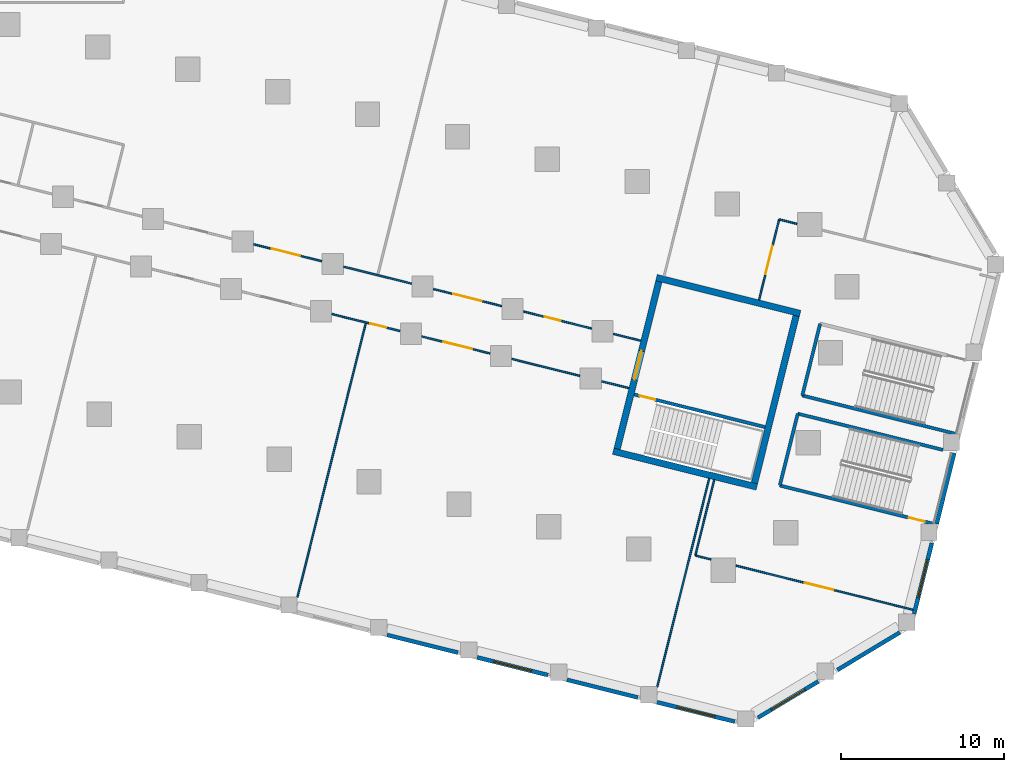
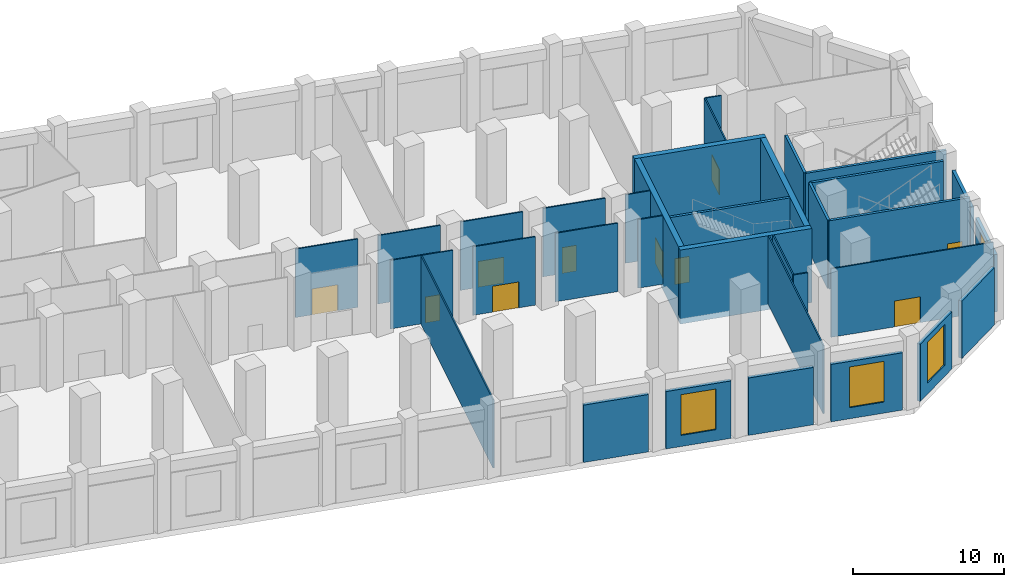
# One storey, part 6 of 15: 34 walls, 10 doors, 4 windows, 14 openings.
"""IFC4 building model written with IfcOpenShell, lengths in metres."""

from ifc_helpers import new_model, si_unit, direction, frame, frame_2d, origin, place, context, subcontext, project, spatial, rectangle, extrude, material, layer, layer_set, type_object, element, fill, save


model = new_model("IFC4")

# Units and contexts
model_context = context("Model", 3, precision=1e-05, world=origin(), true_north=direction((0.0, 1.0)))
body_context = subcontext(model_context, "Body", "Model", "MODEL_VIEW")
ifc_project = project(units=[si_unit("LENGTHUNIT", "METRE"), si_unit("AREAUNIT", "SQUARE_METRE"), si_unit("VOLUMEUNIT", "CUBIC_METRE"), si_unit("PLANEANGLEUNIT", "RADIAN"), si_unit("MASSUNIT", "GRAM", prefix="KILO")], contexts=[model_context])

# Site, building, storey
site_placement = place(None, origin())
site = spatial("IfcSite", under=ifc_project, at=site_placement, CompositionType="ELEMENT")
building_placement = place(site_placement, origin())
building = spatial("IfcBuilding", under=site, at=building_placement, Name="Meshkara Civic Tower", CompositionType="ELEMENT")
storey_placement = place(building_placement, frame((0.0, 0.0, 12.60009765625)))
storey = spatial("IfcBuildingStorey", under=building, at=storey_placement, Name="L02", CompositionType="ELEMENT", Elevation=12.60009765625)

# Wall, opening, door
ifc_material_1 = material(Name="Corridor wall 100")
ifc_layer_1 = layer(ifc_material_1, 0.10009765625)
ifc_layer_set_1 = layer_set([ifc_layer_1], Name="Corridor wall 100")
wall_type_1 = type_object("IfcWallType", Name="Corridor wall 100", PredefinedType="PARTITIONING", material=ifc_layer_set_1)
wall_1_placement = place(storey_placement, frame((58.194091796875, -1.214111328125, 0.0), z_axis=(0.0, 0.0, 1.0), x_axis=(-0.970325134426, 0.241803915396, 0.0)))
wall_1 = element("IfcWall", 1, at=wall_1_placement, inside=storey, type_object=wall_type_1, Name="L02-R057", PredefinedType="PARTITIONING", context=body_context, shape_type="SweptSolid", body=[
    extrude(rectangle(XDim=4.318359375, YDim=0.10009765625, at=frame_2d((2.1591796875, 0.0))), origin(), (0.0, 0.0, 1.0), 5.5498046875),
])
opening_1_placement = place(wall_1_placement, frame((1.3798828125, 0.0, 0.0)))
opening_1 = element("IfcOpeningElement", 2, at=opening_1_placement, cuts=wall_1, Name="Opening L02-P008", PredefinedType="OPENING", context=body_context, shape_type="SweptSolid", body=[
    extrude(rectangle(XDim=1.800048828125, YDim=2.10009765625, at=frame_2d((0.89990234375, 1.050048828125))), frame((0.0, 0.06005859375, 0.0), z_axis=(0.0, -1.0, 0.0), x_axis=(1.0, 0.0, 0.0)), (0.0, 0.0, 1.0), 0.1201171875),
])
ifc_material_2 = material(Name="Door pair 1800 x 2100")
door_type_1 = type_object("IfcDoorType", Name="Door pair 1800 x 2100", OperationType="SINGLE_SWING_LEFT", PredefinedType="DOOR", material=ifc_material_2)
door_1_placement = place(opening_1_placement, origin())
door_1 = element("IfcDoor", 3, at=door_1_placement, inside=storey, type_object=door_type_1, Name="L02-P008", OperationType="DOUBLE_DOOR_SINGLE_SWING", OverallHeight=2.10009765625, OverallWidth=1.800048828125, PredefinedType="DOOR", context=body_context, shape_type="SweptSolid", body=[
    extrude(rectangle(XDim=1.800048828125, YDim=2.10009765625, at=frame_2d((0.89990234375, 1.050048828125))), frame((0.0, 0.02490234375, 0.0), z_axis=(0.0, -1.0, 0.0), x_axis=(1.0, 0.0, 0.0)), (0.0, 0.0, 1.0), 0.050048828125),
])
fill(opening_1, door_1)

wall_2_placement = place(storey_placement, frame((58.80908203125, -4.4599609375, 0.0), z_axis=(0.0, 0.0, 1.0), x_axis=(0.970335093604, -0.241763947107, 0.0)))
wall_2 = element("IfcWall", 4, at=wall_2_placement, inside=storey, type_object=wall_type_1, Name="L02-R058", PredefinedType="PARTITIONING", context=body_context, shape_type="SweptSolid", body=[
    extrude(rectangle(XDim=4.318115234375, YDim=0.10009765625, at=frame_2d((2.1591796875, 0.0))), origin(), (0.0, 0.0, 1.0), 5.5498046875),
])
opening_2_placement = place(wall_2_placement, frame((2.43896484375, 0.0, 0.0)))
opening_2 = element("IfcOpeningElement", 5, at=opening_2_placement, cuts=wall_2, Name="Opening L02-P009", PredefinedType="OPENING", context=body_context, shape_type="SweptSolid", body=[
    extrude(rectangle(XDim=1.0, YDim=2.10009765625, at=frame_2d((0.5, 1.050048828125))), frame((0.0, 0.06005859375, 0.0), z_axis=(0.0, -1.0, 0.0), x_axis=(1.0, 0.0, 0.0)), (0.0, 0.0, 1.0), 0.1201171875),
])
ifc_material_3 = material(Name="Door 1000 x 2100")
door_type_2 = type_object("IfcDoorType", Name="Door 1000 x 2100", OperationType="SINGLE_SWING_LEFT", PredefinedType="DOOR", material=ifc_material_3)
door_2_placement = place(opening_2_placement, origin())
door_2 = element("IfcDoor", 6, at=door_2_placement, inside=storey, type_object=door_type_2, Name="L02-P009", OperationType="SINGLE_SWING_RIGHT", OverallHeight=2.10009765625, OverallWidth=1.0, PredefinedType="DOOR", context=body_context, shape_type="SweptSolid", body=[
    extrude(rectangle(XDim=1.0, YDim=2.10009765625, at=frame_2d((0.5, 1.050048828125))), frame((0.0, 0.02490234375, 0.0), z_axis=(0.0, -1.0, 0.0), x_axis=(1.0, 0.0, 0.0)), (0.0, 0.0, 1.0), 0.050048828125),
])
fill(opening_2, door_2)

# Wall
wall_3_placement = place(storey_placement, frame((59.533935546875, -1.548095703125, 0.0), z_axis=(0.0, 0.0, 1.0), x_axis=(0.970298563138, -0.241910517285, 0.0)))
element("IfcWall", 7, at=wall_3_placement, inside=storey, type_object=wall_type_1, Name="L02-R059", PredefinedType="PARTITIONING", context=body_context, shape_type="SweptSolid", body=[
    extrude(rectangle(XDim=4.3193359375, YDim=0.10009765625, at=frame_2d((2.15966796875, 0.0))), origin(), (0.0, 0.0, 1.0), 5.5498046875),
])

# Wall, opening, door
wall_4_placement = place(storey_placement, frame((64.339111328125, -5.837890625, 0.0), z_axis=(0.0, 0.0, 1.0), x_axis=(0.97028198557, -0.241976999897, 0.0)))
wall_4 = element("IfcWall", 8, at=wall_4_placement, inside=storey, type_object=wall_type_1, Name="L02-R060", PredefinedType="PARTITIONING", context=body_context, shape_type="SweptSolid", body=[
    extrude(rectangle(XDim=4.3193359375, YDim=0.10009765625, at=frame_2d((2.15966796875, 0.0))), origin(), (0.0, 0.0, 1.0), 5.5498046875),
])
opening_3_placement = place(wall_4_placement, frame((1.3798828125, 0.0, 0.0)))
opening_3 = element("IfcOpeningElement", 9, at=opening_3_placement, cuts=wall_4, Name="Opening L02-P003", PredefinedType="OPENING", context=body_context, shape_type="SweptSolid", body=[
    extrude(rectangle(XDim=1.800048828125, YDim=2.10009765625, at=frame_2d((0.89990234375, 1.050048828125))), frame((0.0, 0.06005859375, 0.0), z_axis=(0.0, -1.0, 0.0), x_axis=(1.0, 0.0, 0.0)), (0.0, 0.0, 1.0), 0.1201171875),
])
door_3_placement = place(opening_3_placement, origin())
door_3 = element("IfcDoor", 10, at=door_3_placement, inside=storey, type_object=door_type_1, Name="L02-P003", OperationType="DOUBLE_DOOR_SINGLE_SWING", OverallHeight=2.10009765625, OverallWidth=1.800048828125, PredefinedType="DOOR", context=body_context, shape_type="SweptSolid", body=[
    extrude(rectangle(XDim=1.800048828125, YDim=2.10009765625, at=frame_2d((0.89990234375, 1.050048828125))), frame((0.0, 0.02490234375, 0.0), z_axis=(0.0, -1.0, 0.0), x_axis=(1.0, 0.0, 0.0)), (0.0, 0.0, 1.0), 0.050048828125),
])
fill(opening_3, door_3)

wall_5_placement = place(storey_placement, frame((69.256103515625, -3.971923828125, 0.0), z_axis=(0.0, 0.0, 1.0), x_axis=(-0.970298563138, 0.241910517285, 0.0)))
wall_5 = element("IfcWall", 11, at=wall_5_placement, inside=storey, type_object=wall_type_1, Name="L02-R061", PredefinedType="PARTITIONING", context=body_context, shape_type="SweptSolid", body=[
    extrude(rectangle(XDim=4.3193359375, YDim=0.10009765625, at=frame_2d((2.15966796875, 0.0))), origin(), (0.0, 0.0, 1.0), 5.5498046875),
])
opening_4_placement = place(wall_5_placement, frame((1.280029296875, 0.0, 0.0)))
opening_4 = element("IfcOpeningElement", 12, at=opening_4_placement, cuts=wall_5, Name="Opening L02-P010", PredefinedType="OPENING", context=body_context, shape_type="SweptSolid", body=[
    extrude(rectangle(XDim=1.800048828125, YDim=2.10009765625, at=frame_2d((0.89990234375, 1.050048828125))), frame((0.0, 0.06005859375, 0.0), z_axis=(0.0, -1.0, 0.0), x_axis=(1.0, 0.0, 0.0)), (0.0, 0.0, 1.0), 0.1201171875),
])
door_4_placement = place(opening_4_placement, origin())
door_4 = element("IfcDoor", 13, at=door_4_placement, inside=storey, type_object=door_type_1, Name="L02-P010", OperationType="DOUBLE_DOOR_SINGLE_SWING", OverallHeight=2.10009765625, OverallWidth=1.800048828125, PredefinedType="DOOR", context=body_context, shape_type="SweptSolid", body=[
    extrude(rectangle(XDim=1.800048828125, YDim=2.10009765625, at=frame_2d((0.89990234375, 1.050048828125))), frame((0.0, 0.02490234375, 0.0), z_axis=(0.0, -1.0, 0.0), x_axis=(1.0, 0.0, 0.0)), (0.0, 0.0, 1.0), 0.050048828125),
])
fill(opening_4, door_4)

# Wall
wall_6_placement = place(storey_placement, frame((69.8701171875, -7.218017578125, 0.0), z_axis=(0.0, 0.0, 1.0), x_axis=(0.970295255208, -0.241923784941, 0.0)))
element("IfcWall", 14, at=wall_6_placement, inside=storey, type_object=wall_type_1, Name="L02-R062", PredefinedType="PARTITIONING", context=body_context, shape_type="SweptSolid", body=[
    extrude(rectangle(XDim=4.3193359375, YDim=0.10009765625, at=frame_2d((2.15966796875, 0.0))), origin(), (0.0, 0.0, 1.0), 5.5498046875),
])

# Wall, opening, door
wall_7_placement = place(storey_placement, frame((74.785888671875, -5.35107421875, 0.0), z_axis=(0.0, 0.0, 1.0), x_axis=(-0.970321828551, 0.241817181023, 0.0)))
wall_7 = element("IfcWall", 15, at=wall_7_placement, inside=storey, type_object=wall_type_1, Name="L02-R063", PredefinedType="PARTITIONING", context=body_context, shape_type="SweptSolid", body=[
    extrude(rectangle(XDim=4.318115234375, YDim=0.10009765625, at=frame_2d((2.1591796875, 0.0))), origin(), (0.0, 0.0, 1.0), 5.5498046875),
])
opening_5_placement = place(wall_7_placement, frame((1.97998046875, 0.0, 0.0)))
opening_5 = element("IfcOpeningElement", 16, at=opening_5_placement, cuts=wall_7, Name="Opening L02-P011", PredefinedType="OPENING", context=body_context, shape_type="SweptSolid", body=[
    extrude(rectangle(XDim=1.0, YDim=2.10009765625, at=frame_2d((0.5, 1.050048828125))), frame((0.0, 0.06005859375, 0.0), z_axis=(0.0, -1.0, 0.0), x_axis=(1.0, 0.0, 0.0)), (0.0, 0.0, 1.0), 0.1201171875),
])
door_5_placement = place(opening_5_placement, origin())
door_5 = element("IfcDoor", 17, at=door_5_placement, inside=storey, type_object=door_type_2, Name="L02-P011", OperationType="SINGLE_SWING_LEFT", OverallHeight=2.10009765625, OverallWidth=1.0, PredefinedType="DOOR", context=body_context, shape_type="SweptSolid", body=[
    extrude(rectangle(XDim=1.0, YDim=2.10009765625, at=frame_2d((0.5, 1.050048828125))), frame((0.0, 0.02490234375, 0.0), z_axis=(0.0, -1.0, 0.0), x_axis=(1.0, 0.0, 0.0)), (0.0, 0.0, 1.0), 0.050048828125),
])
fill(opening_5, door_5)

# Walls
wall_8_placement = place(storey_placement, frame((75.40087890625, -8.596923828125, 0.0), z_axis=(0.0, 0.0, 1.0), x_axis=(0.970358012919, -0.241671940372, 0.0)))
element("IfcWall", 18, at=wall_8_placement, inside=storey, type_object=wall_type_1, Name="L02-R064", PredefinedType="PARTITIONING", context=body_context, shape_type="SweptSolid", body=[
    extrude(rectangle(XDim=1.7294921875, YDim=0.10009765625, at=frame_2d((0.86474609375, 0.0))), origin(), (0.0, 0.0, 1.0), 5.5498046875),
])
wall_9_placement = place(storey_placement, frame((77.804931640625, -6.10400390625, 0.0), z_axis=(0.0, 0.0, 1.0), x_axis=(-0.97025029366, 0.242104043031, 0.0)))
element("IfcWall", 19, at=wall_9_placement, inside=storey, type_object=wall_type_1, Name="L02-R065", PredefinedType="PARTITIONING", context=body_context, shape_type="SweptSolid", body=[
    extrude(rectangle(XDim=1.73046875, YDim=0.10009765625, at=frame_2d((0.865234375, 0.0))), origin(), (0.0, 0.0, 1.0), 5.5498046875),
])
wall_10_placement = place(storey_placement, frame((81.159912109375, -19.30810546875, 0.0), z_axis=(0.0, 0.0, 1.0), x_axis=(0.970258747404, -0.242070161495, 0.0)))
element("IfcWall", 20, at=wall_10_placement, inside=storey, type_object=wall_type_1, Name="L02-R066", PredefinedType="PARTITIONING", context=body_context, shape_type="SweptSolid", body=[
    extrude(rectangle(XDim=0.9873046875, YDim=0.10009765625, at=frame_2d((0.49365234375, 0.0))), origin(), (0.0, 0.0, 1.0), 5.5498046875),
])
wall_11_placement = place(storey_placement, frame((82.321044921875, -14.65087890625, 0.0), z_axis=(0.0, 0.0, 1.0), x_axis=(-0.241913228726, -0.970297887129, 0.0)))
element("IfcWall", 21, at=wall_11_placement, inside=storey, type_object=wall_type_1, Name="L02-R067", PredefinedType="PARTITIONING", context=body_context, shape_type="SweptSolid", body=[
    extrude(rectangle(XDim=4.7998046875, YDim=0.10009765625, at=frame_2d((2.39990234375, 0.0))), origin(), (0.0, 0.0, 1.0), 5.5498046875),
])

# Wall, opening, door
wall_12_placement = place(storey_placement, frame((83.657958984375, -19.930908203125, 0.0), z_axis=(0.0, 0.0, 1.0), x_axis=(0.970304770319, -0.241885619034, 0.0)))
wall_12 = element("IfcWall", 22, at=wall_12_placement, inside=storey, type_object=wall_type_1, Name="L02-R068", PredefinedType="PARTITIONING", context=body_context, shape_type="SweptSolid", body=[
    extrude(rectangle(XDim=11.224609375, YDim=0.10009765625, at=frame_2d((5.6123046875, 0.0))), origin(), (0.0, 0.0, 1.0), 5.5498046875),
])
opening_6_placement = place(wall_12_placement, frame((4.3798828125, 0.0, 0.0)))
opening_6 = element("IfcOpeningElement", 23, at=opening_6_placement, cuts=wall_12, Name="Opening L02-P001", PredefinedType="OPENING", context=body_context, shape_type="SweptSolid", body=[
    extrude(rectangle(XDim=1.800048828125, YDim=2.10009765625, at=frame_2d((0.89990234375, 1.050048828125))), frame((0.0, 0.06005859375, 0.0), z_axis=(0.0, -1.0, 0.0), x_axis=(1.0, 0.0, 0.0)), (0.0, 0.0, 1.0), 0.1201171875),
])
door_6_placement = place(opening_6_placement, origin())
door_6 = element("IfcDoor", 24, at=door_6_placement, inside=storey, type_object=door_type_1, Name="L02-P001", OperationType="DOUBLE_DOOR_SINGLE_SWING", OverallHeight=2.10009765625, OverallWidth=1.800048828125, PredefinedType="DOOR", context=body_context, shape_type="SweptSolid", body=[
    extrude(rectangle(XDim=1.800048828125, YDim=2.10009765625, at=frame_2d((0.89990234375, 1.050048828125))), frame((0.0, 0.02490234375, 0.0), z_axis=(0.0, -1.0, 0.0), x_axis=(1.0, 0.0, 0.0)), (0.0, 0.0, 1.0), 0.050048828125),
])
fill(opening_6, door_6)

wall_13_placement = place(storey_placement, frame((86.31298828125, 1.35888671875, 0.0), z_axis=(0.0, 0.0, 1.0), x_axis=(-0.241961080538, -0.970285955533, 0.0)))
wall_13 = element("IfcWall", 25, at=wall_13_placement, inside=storey, type_object=wall_type_1, Name="L02-R069", PredefinedType="PARTITIONING", context=body_context, shape_type="SweptSolid", body=[
    extrude(rectangle(XDim=5.099609375, YDim=0.10009765625, at=frame_2d((2.5498046875, 0.0))), origin(), (0.0, 0.0, 1.0), 5.5498046875),
])
opening_7_placement = place(wall_13_placement, frame((1.679931640625, 0.0, 0.0)))
opening_7 = element("IfcOpeningElement", 26, at=opening_7_placement, cuts=wall_13, Name="Opening L02-P012", PredefinedType="OPENING", context=body_context, shape_type="SweptSolid", body=[
    extrude(rectangle(XDim=1.800048828125, YDim=2.10009765625, at=frame_2d((0.89990234375, 1.050048828125))), frame((0.0, 0.06005859375, 0.0), z_axis=(0.0, -1.0, 0.0), x_axis=(1.0, 0.0, 0.0)), (0.0, 0.0, 1.0), 0.1201171875),
])
door_7_placement = place(opening_7_placement, origin())
door_7 = element("IfcDoor", 27, at=door_7_placement, inside=storey, type_object=door_type_1, Name="L02-P012", OperationType="DOUBLE_DOOR_SINGLE_SWING", OverallHeight=2.10009765625, OverallWidth=1.800048828125, PredefinedType="DOOR", context=body_context, shape_type="SweptSolid", body=[
    extrude(rectangle(XDim=1.800048828125, YDim=2.10009765625, at=frame_2d((0.89990234375, 1.050048828125))), frame((0.0, 0.02490234375, 0.0), z_axis=(0.0, -1.0, 0.0), x_axis=(1.0, 0.0, 0.0)), (0.0, 0.0, 1.0), 0.050048828125),
])
fill(opening_7, door_7)

# Walls
wall_14_placement = place(storey_placement, frame((87.416015625, 1.083984375, 0.0), z_axis=(0.0, 0.0, 1.0), x_axis=(-0.970319109457, 0.241828091467, 0.0)))
element("IfcWall", 28, at=wall_14_placement, inside=storey, type_object=wall_type_1, Name="L02-R071", PredefinedType="PARTITIONING", context=body_context, shape_type="SweptSolid", body=[
    extrude(rectangle(XDim=1.13671875, YDim=0.10009765625, at=frame_2d((0.568359375, 0.0))), origin(), (0.0, 0.0, 1.0), 5.5498046875),
])
ifc_material_4 = material(Name="Concrete C80", Category="concrete")
ifc_layer_2 = layer(ifc_material_4, 0.39990234375)
ifc_layer_set_2 = layer_set([ifc_layer_2], Name="End core ring wall 400 C80")
wall_type_2 = type_object("IfcWallType", Name="End core ring wall 400 C80", PredefinedType="SHEAR", material=ifc_layer_set_2)
wall_15_placement = place(storey_placement, frame((76.111083984375, -12.89599609375, -0.4501953125), z_axis=(0.0, 0.0, 1.0), x_axis=(0.970311127573, -0.241860115992, 0.0)))
element("IfcWall", 29, at=wall_15_placement, inside=storey, type_object=wall_type_2, Name="L02-C031", PredefinedType="SHEAR", context=body_context, shape_type="SweptSolid", body=[
    extrude(rectangle(XDim=9.10009765625, YDim=0.39990234375, at=frame_2d((4.550048828125, 0.0))), origin(), (0.0, 0.0, 1.0), 6.0),
])
wall_16_placement = place(storey_placement, frame((78.77197265625, -2.222900390625, -0.4501953125), z_axis=(0.0, 0.0, 1.0), x_axis=(0.970306400786, -0.241879078453, 0.0)))
element("IfcWall", 30, at=wall_16_placement, inside=storey, type_object=wall_type_2, Name="L02-C032", PredefinedType="SHEAR", context=body_context, shape_type="SweptSolid", body=[
    extrude(rectangle(XDim=9.100341796875, YDim=0.39990234375, at=frame_2d((4.55029296875, 0.0))), origin(), (0.0, 0.0, 1.0), 6.0),
])

# Wall, opening, door
wall_17_placement = place(storey_placement, frame((76.35302734375, -12.75, -0.4501953125), z_axis=(0.0, 0.0, 1.0), x_axis=(0.241977390218, 0.970281888228, 0.0)))
wall_17 = element("IfcWall", 31, at=wall_17_placement, inside=storey, type_object=wall_type_2, Name="L02-C033", PredefinedType="SHEAR", context=body_context, shape_type="SweptSolid", body=[
    extrude(rectangle(XDim=10.599853515625, YDim=0.39990234375, at=frame_2d((5.2998046875, 0.0))), origin(), (0.0, 0.0, 1.0), 6.0),
])
opening_8_placement = place(wall_17_placement, frame((4.39990234375, 0.0, 0.449951171875)))
opening_8 = element("IfcOpeningElement", 32, at=opening_8_placement, cuts=wall_17, Name="Opening L02-K202", PredefinedType="OPENING", context=body_context, shape_type="SweptSolid", body=[
    extrude(rectangle(XDim=1.800048828125, YDim=2.10009765625, at=frame_2d((0.89990234375, 1.050048828125))), frame((0.0, 0.2099609375, 0.0), z_axis=(0.0, -1.0, 0.0), x_axis=(1.0, 0.0, 0.0)), (0.0, 0.0, 1.0), 0.419921875),
])
ifc_material_5 = material(Name="Fire-rated door leaf in steel frame", Category="steel")
door_type_3 = type_object("IfcDoorType", Name="Core double door 1800 EI 60", OperationType="DOUBLE_DOOR_SINGLE_SWING", PredefinedType="DOOR", material=ifc_material_5)
door_8_placement = place(opening_8_placement, origin())
door_8 = element("IfcDoor", 33, at=door_8_placement, inside=storey, type_object=door_type_3, Name="L02-K202", OperationType="DOUBLE_DOOR_SINGLE_SWING", OverallHeight=2.10009765625, OverallWidth=1.800048828125, PredefinedType="DOOR", context=body_context, shape_type="SweptSolid", body=[
    extrude(rectangle(XDim=1.800048828125, YDim=2.10009765625, at=frame_2d((0.89990234375, 1.050048828125))), frame((0.0, 0.02490234375, 0.0), z_axis=(0.0, -1.0, 0.0), x_axis=(1.0, 0.0, 0.0)), (0.0, 0.0, 1.0), 0.050048828125),
])
fill(opening_8, door_8)

# Walls
wall_18_placement = place(storey_placement, frame((84.794921875, -14.85498046875, -0.4501953125), z_axis=(0.0, 0.0, 1.0), x_axis=(0.241890652548, 0.970303515509, 0.0)))
element("IfcWall", 34, at=wall_18_placement, inside=storey, type_object=wall_type_2, Name="L02-C034", PredefinedType="SHEAR", context=body_context, shape_type="SweptSolid", body=[
    extrude(rectangle(XDim=10.599609375, YDim=0.39990234375, at=frame_2d((5.2998046875, 0.0))), origin(), (0.0, 0.0, 1.0), 6.0),
])
ifc_material_6 = material(Name="Stone cladding on insulated backing wall", Category="masonry")
ifc_layer_3 = layer(ifc_material_6, 0.25)
ifc_layer_set_3 = layer_set([ifc_layer_3], Name="PODIUM STONE WALL 250")
wall_type_3 = type_object("IfcWallType", Name="PODIUM STONE WALL 250", PredefinedType="SOLIDWALL", material=ifc_layer_set_3)
wall_19_placement = place(storey_placement, frame((62.2109375, -24.194091796875, 0.0), z_axis=(0.0, 0.0, 1.0), x_axis=(0.970289506684, -0.241946839653, 0.0)))
element("IfcWall", 35, at=wall_19_placement, inside=storey, type_object=wall_type_3, Name="Podium external wall", PredefinedType="SOLIDWALL", context=body_context, shape_type="SweptSolid", body=[
    extrude(rectangle(XDim=4.48828125, YDim=0.25, at=frame_2d((2.244140625, 0.0))), origin(), (0.0, 0.0, 1.0), 4.64990234375),
])

# Wall, opening, window
wall_20_placement = place(storey_placement, frame((67.741943359375, -25.572998046875, 0.0), z_axis=(0.0, 0.0, 1.0), x_axis=(0.970289506684, -0.241946839653, 0.0)))
wall_20 = element("IfcWall", 36, at=wall_20_placement, inside=storey, type_object=wall_type_3, Name="Podium external wall", PredefinedType="SOLIDWALL", context=body_context, shape_type="SweptSolid", body=[
    extrude(rectangle(XDim=4.48828125, YDim=0.25, at=frame_2d((2.244140625, 0.0))), origin(), (0.0, 0.0, 1.0), 4.64990234375),
])
opening_9_placement = place(wall_20_placement, frame((1.0439453125, 0.0, 0.89990234375)))
opening_9 = element("IfcOpeningElement", 37, at=opening_9_placement, cuts=wall_20, Name="Opening PW7", PredefinedType="OPENING", context=body_context, shape_type="SweptSolid", body=[
    extrude(rectangle(XDim=2.39990234375, YDim=3.300048828125, at=frame_2d((1.199951171875, 1.64990234375))), frame((0.0, 0.135009765625, 0.0), z_axis=(0.0, -1.0, 0.0), x_axis=(1.0, 0.0, 0.0)), (0.0, 0.0, 1.0), 0.27001953125),
])
ifc_material_7 = material(Name="Tinted double glazing", Category="glass")
window_type = type_object("IfcWindowType", Name="PODIUM WINDOW 2400x3300", PartitioningType="DOUBLE_PANEL_VERTICAL", PredefinedType="WINDOW", material=ifc_material_7)
window_1_placement = place(opening_9_placement, origin())
window_1 = element("IfcWindow", 38, at=window_1_placement, inside=storey, type_object=window_type, Name="Podium window", OverallHeight=3.300048828125, OverallWidth=2.39990234375, PartitioningType="DOUBLE_PANEL_VERTICAL", PredefinedType="WINDOW", context=body_context, shape_type="SweptSolid", body=[
    extrude(rectangle(XDim=2.39990234375, YDim=3.300048828125, at=frame_2d((1.199951171875, 1.64990234375))), frame((0.0, 0.030029296875, 0.0), z_axis=(0.0, -1.0, 0.0), x_axis=(1.0, 0.0, 0.0)), (0.0, 0.0, 1.0), 0.06005859375),
])
fill(opening_9, window_1)

# Wall
wall_21_placement = place(storey_placement, frame((73.27294921875, -26.951904296875, 0.0), z_axis=(0.0, 0.0, 1.0), x_axis=(0.970263990019, -0.242049147224, 0.0)))
element("IfcWall", 39, at=wall_21_placement, inside=storey, type_object=wall_type_3, Name="Podium external wall", PredefinedType="SOLIDWALL", context=body_context, shape_type="SweptSolid", body=[
    extrude(rectangle(XDim=4.487548828125, YDim=0.25, at=frame_2d((2.24365234375, 0.0))), origin(), (0.0, 0.0, 1.0), 4.64990234375),
])

# Wall, opening, window
wall_22_placement = place(storey_placement, frame((78.803955078125, -28.3310546875, 0.0), z_axis=(0.0, 0.0, 1.0), x_axis=(0.970305357377, -0.241883264089, 0.0)))
wall_22 = element("IfcWall", 40, at=wall_22_placement, inside=storey, type_object=wall_type_3, Name="Podium external wall", PredefinedType="SOLIDWALL", context=body_context, shape_type="SweptSolid", body=[
    extrude(rectangle(XDim=4.931640625, YDim=0.25, at=frame_2d((2.4658203125, 0.0))), origin(), (0.0, 0.0, 1.0), 4.64990234375),
])
opening_10_placement = place(wall_22_placement, frame((1.26611328125, 0.0, 0.89990234375)))
opening_10 = element("IfcOpeningElement", 41, at=opening_10_placement, cuts=wall_22, Name="Opening PW7", PredefinedType="OPENING", context=body_context, shape_type="SweptSolid", body=[
    extrude(rectangle(XDim=2.39990234375, YDim=3.300048828125, at=frame_2d((1.199951171875, 1.64990234375))), frame((0.0, 0.135009765625, 0.0), z_axis=(0.0, -1.0, 0.0), x_axis=(1.0, 0.0, 0.0)), (0.0, 0.0, 1.0), 0.27001953125),
])
window_2_placement = place(opening_10_placement, origin())
window_2 = element("IfcWindow", 42, at=window_2_placement, inside=storey, type_object=window_type, Name="Podium window", OverallHeight=3.300048828125, OverallWidth=2.39990234375, PartitioningType="DOUBLE_PANEL_VERTICAL", PredefinedType="WINDOW", context=body_context, shape_type="SweptSolid", body=[
    extrude(rectangle(XDim=2.39990234375, YDim=3.300048828125, at=frame_2d((1.199951171875, 1.64990234375))), frame((0.0, 0.030029296875, 0.0), z_axis=(0.0, -1.0, 0.0), x_axis=(1.0, 0.0, 0.0)), (0.0, 0.0, 1.0), 0.06005859375),
])
fill(opening_10, window_2)

wall_23_placement = place(storey_placement, frame((85.011962890625, -29.280029296875, 0.0), z_axis=(0.0, 0.0, 1.0), x_axis=(0.857124320069, 0.515109599936, 0.0)))
wall_23 = element("IfcWall", 43, at=wall_23_placement, inside=storey, type_object=wall_type_3, Name="Podium external wall", PredefinedType="SOLIDWALL", context=body_context, shape_type="SweptSolid", body=[
    extrude(rectangle(XDim=4.3271484375, YDim=0.25, at=frame_2d((2.16357421875, 0.0))), origin(), (0.0, 0.0, 1.0), 4.64990234375),
])
opening_11_placement = place(wall_23_placement, frame((0.964111328125, 0.0, 0.89990234375)))
opening_11 = element("IfcOpeningElement", 44, at=opening_11_placement, cuts=wall_23, Name="Opening PW7", PredefinedType="OPENING", context=body_context, shape_type="SweptSolid", body=[
    extrude(rectangle(XDim=2.39990234375, YDim=3.300048828125, at=frame_2d((1.199951171875, 1.64990234375))), frame((0.0, 0.135009765625, 0.0), z_axis=(0.0, -1.0, 0.0), x_axis=(1.0, 0.0, 0.0)), (0.0, 0.0, 1.0), 0.27001953125),
])
window_3_placement = place(opening_11_placement, origin())
window_3 = element("IfcWindow", 45, at=window_3_placement, inside=storey, type_object=window_type, Name="Podium window", OverallHeight=3.300048828125, OverallWidth=2.39990234375, PartitioningType="DOUBLE_PANEL_VERTICAL", PredefinedType="WINDOW", context=body_context, shape_type="SweptSolid", body=[
    extrude(rectangle(XDim=2.39990234375, YDim=3.300048828125, at=frame_2d((1.199951171875, 1.64990234375))), frame((0.0, 0.030029296875, 0.0), z_axis=(0.0, -1.0, 0.0), x_axis=(1.0, 0.0, 0.0)), (0.0, 0.0, 1.0), 0.06005859375),
])
fill(opening_11, window_3)

# Wall
wall_24_placement = place(storey_placement, frame((89.89794921875, -26.344970703125, 0.0), z_axis=(0.0, 0.0, 1.0), x_axis=(0.857102702083, 0.515145569797, 0.0)))
element("IfcWall", 46, at=wall_24_placement, inside=storey, type_object=wall_type_3, Name="Podium external wall", PredefinedType="SOLIDWALL", context=body_context, shape_type="SweptSolid", body=[
    extrude(rectangle(XDim=4.474365234375, YDim=0.25, at=frame_2d((2.2373046875, 0.0))), origin(), (0.0, 0.0, 1.0), 4.64990234375),
])

# Wall, opening, window
wall_25_placement = place(storey_placement, frame((94.614990234375, -22.89892578125, 0.0), z_axis=(0.0, 0.0, 1.0), x_axis=(0.241946839653, 0.970289506684, 0.0)))
wall_25 = element("IfcWall", 47, at=wall_25_placement, inside=storey, type_object=wall_type_3, Name="Podium external wall", PredefinedType="SOLIDWALL", context=body_context, shape_type="SweptSolid", body=[
    extrude(rectangle(XDim=4.48828125, YDim=0.25, at=frame_2d((2.244140625, 0.0))), origin(), (0.0, 0.0, 1.0), 4.64990234375),
])
opening_12_placement = place(wall_25_placement, frame((1.0439453125, 0.0, 0.89990234375)))
opening_12 = element("IfcOpeningElement", 48, at=opening_12_placement, cuts=wall_25, Name="Opening PW7", PredefinedType="OPENING", context=body_context, shape_type="SweptSolid", body=[
    extrude(rectangle(XDim=2.39990234375, YDim=3.300048828125, at=frame_2d((1.199951171875, 1.64990234375))), frame((0.0, 0.135009765625, 0.0), z_axis=(0.0, -1.0, 0.0), x_axis=(1.0, 0.0, 0.0)), (0.0, 0.0, 1.0), 0.27001953125),
])
window_4_placement = place(opening_12_placement, origin())
window_4 = element("IfcWindow", 49, at=window_4_placement, inside=storey, type_object=window_type, Name="Podium window", OverallHeight=3.300048828125, OverallWidth=2.39990234375, PartitioningType="DOUBLE_PANEL_VERTICAL", PredefinedType="WINDOW", context=body_context, shape_type="SweptSolid", body=[
    extrude(rectangle(XDim=2.39990234375, YDim=3.300048828125, at=frame_2d((1.199951171875, 1.64990234375))), frame((0.0, 0.030029296875, 0.0), z_axis=(0.0, -1.0, 0.0), x_axis=(1.0, 0.0, 0.0)), (0.0, 0.0, 1.0), 0.06005859375),
])
fill(opening_12, window_4)

# Walls
wall_26_placement = place(storey_placement, frame((95.9951171875, -17.367919921875, 0.0), z_axis=(0.0, 0.0, 1.0), x_axis=(0.241793032904, 0.970327846266, 0.0)))
element("IfcWall", 50, at=wall_26_placement, inside=storey, type_object=wall_type_3, Name="Podium external wall", PredefinedType="SOLIDWALL", context=body_context, shape_type="SweptSolid", body=[
    extrude(rectangle(XDim=4.487060546875, YDim=0.25, at=frame_2d((2.24365234375, 0.0))), origin(), (0.0, 0.0, 1.0), 4.64990234375),
])
ifc_material_8 = material(Name="Partition 100")
ifc_layer_4 = layer(ifc_material_8, 0.10009765625)
ifc_layer_set_4 = layer_set([ifc_layer_4], Name="Partition 100")
wall_type_4 = type_object("IfcWallType", Name="Partition 100", PredefinedType="PARTITIONING", material=ifc_layer_set_4)
wall_27_placement = place(storey_placement, frame((56.69189453125, -21.875, 0.0), z_axis=(0.0, 0.0, 1.0), x_axis=(0.241949873986, 0.970288750052, 0.0)))
element("IfcWall", 51, at=wall_27_placement, inside=storey, type_object=wall_type_4, Name="L02-R111", PredefinedType="PARTITIONING", context=body_context, shape_type="SweptSolid", body=[
    extrude(rectangle(XDim=17.35986328125, YDim=0.10009765625, at=frame_2d((8.679931640625, 0.0))), origin(), (0.0, 0.0, 1.0), 5.5498046875),
])
wall_28_placement = place(storey_placement, frame((78.81396484375, -27.39111328125, 0.0), z_axis=(0.0, 0.0, 1.0), x_axis=(0.242000743869, 0.970276063792, 0.0)))
element("IfcWall", 52, at=wall_28_placement, inside=storey, type_object=wall_type_4, Name="L02-R113", PredefinedType="PARTITIONING", context=body_context, shape_type="SweptSolid", body=[
    extrude(rectangle(XDim=13.210693359375, YDim=0.10009765625, at=frame_2d((6.60546875, 0.0))), origin(), (0.0, 0.0, 1.0), 5.5498046875),
])

# Wall, opening, door
ifc_material_9 = material(Name="Concrete C40/50", Category="concrete")
ifc_layer_5 = layer(ifc_material_9, 0.199951171875)
ifc_layer_set_5 = layer_set([ifc_layer_5], Name="Stair enclosure wall 200 C40/50")
wall_type_5 = type_object("IfcWallType", Name="Stair enclosure wall 200 C40/50", PredefinedType="SOLIDWALL", material=ifc_layer_set_5)
wall_29_placement = place(storey_placement, frame((77.39404296875, -9.403076171875, 0.0), z_axis=(0.0, 0.0, 1.0), x_axis=(0.970303192681, -0.241891947516, 0.0)))
wall_29 = element("IfcWall", 53, at=wall_29_placement, inside=storey, type_object=wall_type_5, Name="L02-C035", PredefinedType="SOLIDWALL", context=body_context, shape_type="SweptSolid", body=[
    extrude(rectangle(XDim=8.300537109375, YDim=0.199951171875, at=frame_2d((4.150390625, 0.0))), origin(), (0.0, 0.0, 1.0), 5.5498046875),
])
opening_13_placement = place(wall_29_placement, frame((0.35009765625, 0.0, 0.0)))
opening_13 = element("IfcOpeningElement", 54, at=opening_13_placement, cuts=wall_29, Name="Opening L02-K201", PredefinedType="OPENING", context=body_context, shape_type="SweptSolid", body=[
    extrude(rectangle(XDim=1.0, YDim=2.10009765625, at=frame_2d((0.5, 1.050048828125))), frame((0.0, 0.10986328125, 0.0), z_axis=(0.0, -1.0, 0.0), x_axis=(1.0, 0.0, 0.0)), (0.0, 0.0, 1.0), 0.219970703125),
])
ifc_material_10 = material(Name="Fire-rated door leaf in steel frame", Category="steel")
door_type_4 = type_object("IfcDoorType", Name="Stair door 1000 EI 120", OperationType="SINGLE_SWING_LEFT", PredefinedType="DOOR", material=ifc_material_10)
door_9_placement = place(opening_13_placement, origin())
door_9 = element("IfcDoor", 55, at=door_9_placement, inside=storey, type_object=door_type_4, Name="L02-K201", OperationType="SINGLE_SWING_LEFT", OverallHeight=2.10009765625, OverallWidth=1.0, PredefinedType="DOOR", context=body_context, shape_type="SweptSolid", body=[
    extrude(rectangle(XDim=1.0, YDim=2.10009765625, at=frame_2d((0.5, 1.050048828125))), frame((0.0, 0.02490234375, 0.0), z_axis=(0.0, -1.0, 0.0), x_axis=(1.0, 0.0, 0.0)), (0.0, 0.0, 1.0), 0.050048828125),
])
fill(opening_13, door_9)

# Walls
wall_30_placement = place(storey_placement, frame((86.35595703125, -15.001953125, 0.0), z_axis=(0.0, 0.0, 1.0), x_axis=(0.241778041767, 0.970331581739, 0.0)))
element("IfcWall", 56, at=wall_30_placement, inside=storey, type_object=wall_type_5, Name="L02-R070", PredefinedType="SOLIDWALL", context=body_context, shape_type="SweptSolid", body=[
    extrude(rectangle(XDim=4.550048828125, YDim=0.199951171875, at=frame_2d((2.27490234375, 0.0))), origin(), (0.0, 0.0, 1.0), 5.5498046875),
])
wall_31_placement = place(storey_placement, frame((87.4560546875, -10.5869140625, 0.0), z_axis=(0.0, 0.0, 1.0), x_axis=(0.97028891911, -0.241949196016, 0.0)))
element("IfcWall", 57, at=wall_31_placement, inside=storey, type_object=wall_type_5, Name="L02-R072", PredefinedType="SOLIDWALL", context=body_context, shape_type="SweptSolid", body=[
    extrude(rectangle(XDim=9.208740234375, YDim=0.199951171875, at=frame_2d((4.6044921875, 0.0))), origin(), (0.0, 0.0, 1.0), 5.5498046875),
])
wall_32_placement = place(storey_placement, frame((87.735107421875, -9.470947265625, 0.0), z_axis=(0.0, 0.0, 1.0), x_axis=(0.241727520474, 0.970344168759, 0.0)))
element("IfcWall", 58, at=wall_32_placement, inside=storey, type_object=wall_type_5, Name="L02-R073", PredefinedType="SOLIDWALL", context=body_context, shape_type="SweptSolid", body=[
    extrude(rectangle(XDim=4.550048828125, YDim=0.199951171875, at=frame_2d((2.27490234375, 0.0))), origin(), (0.0, 0.0, 1.0), 5.5498046875),
])

# Wall, opening, door
wall_33_placement = place(storey_placement, frame((86.35595703125, -15.001953125, 0.0), z_axis=(0.0, 0.0, 1.0), x_axis=(0.970288396191, -0.241951293066, 0.0)))
wall_33 = element("IfcWall", 59, at=wall_33_placement, inside=storey, type_object=wall_type_5, Name="L02-R076", PredefinedType="SOLIDWALL", context=body_context, shape_type="SweptSolid", body=[
    extrude(rectangle(XDim=9.7333984375, YDim=0.199951171875, at=frame_2d((4.86669921875, 0.0))), origin(), (0.0, 0.0, 1.0), 5.5498046875),
])
opening_14_placement = place(wall_33_placement, frame((8.18310546875, 0.0, 0.0)))
opening_14 = element("IfcOpeningElement", 60, at=opening_14_placement, cuts=wall_33, Name="Opening L02-P002", PredefinedType="OPENING", context=body_context, shape_type="SweptSolid", body=[
    extrude(rectangle(XDim=1.0, YDim=2.10009765625, at=frame_2d((0.5, 1.050048828125))), frame((0.0, 0.10986328125, 0.0), z_axis=(0.0, -1.0, 0.0), x_axis=(1.0, 0.0, 0.0)), (0.0, 0.0, 1.0), 0.219970703125),
])
door_10_placement = place(opening_14_placement, origin())
door_10 = element("IfcDoor", 61, at=door_10_placement, inside=storey, type_object=door_type_2, Name="L02-P002", OperationType="SINGLE_SWING_LEFT", OverallHeight=2.10009765625, OverallWidth=1.0, PredefinedType="DOOR", context=body_context, shape_type="SweptSolid", body=[
    extrude(rectangle(XDim=1.0, YDim=2.10009765625, at=frame_2d((0.5, 1.050048828125))), frame((0.0, 0.02490234375, 0.0), z_axis=(0.0, -1.0, 0.0), x_axis=(1.0, 0.0, 0.0)), (0.0, 0.0, 1.0), 0.050048828125),
])
fill(opening_14, door_10)

# Wall
wall_34_placement = place(storey_placement, frame((97.18310546875, -11.826904296875, 0.0), z_axis=(0.0, 0.0, 1.0), x_axis=(-0.970288335935, 0.241951534711, 0.0)))
element("IfcWall", 62, at=wall_34_placement, inside=storey, type_object=wall_type_5, Name="L02-R077", PredefinedType="SOLIDWALL", context=body_context, shape_type="SweptSolid", body=[
    extrude(rectangle(XDim=9.7373046875, YDim=0.199951171875, at=frame_2d((4.86865234375, 0.0))), origin(), (0.0, 0.0, 1.0), 5.5498046875),
])

save(model, "model.ifc")
